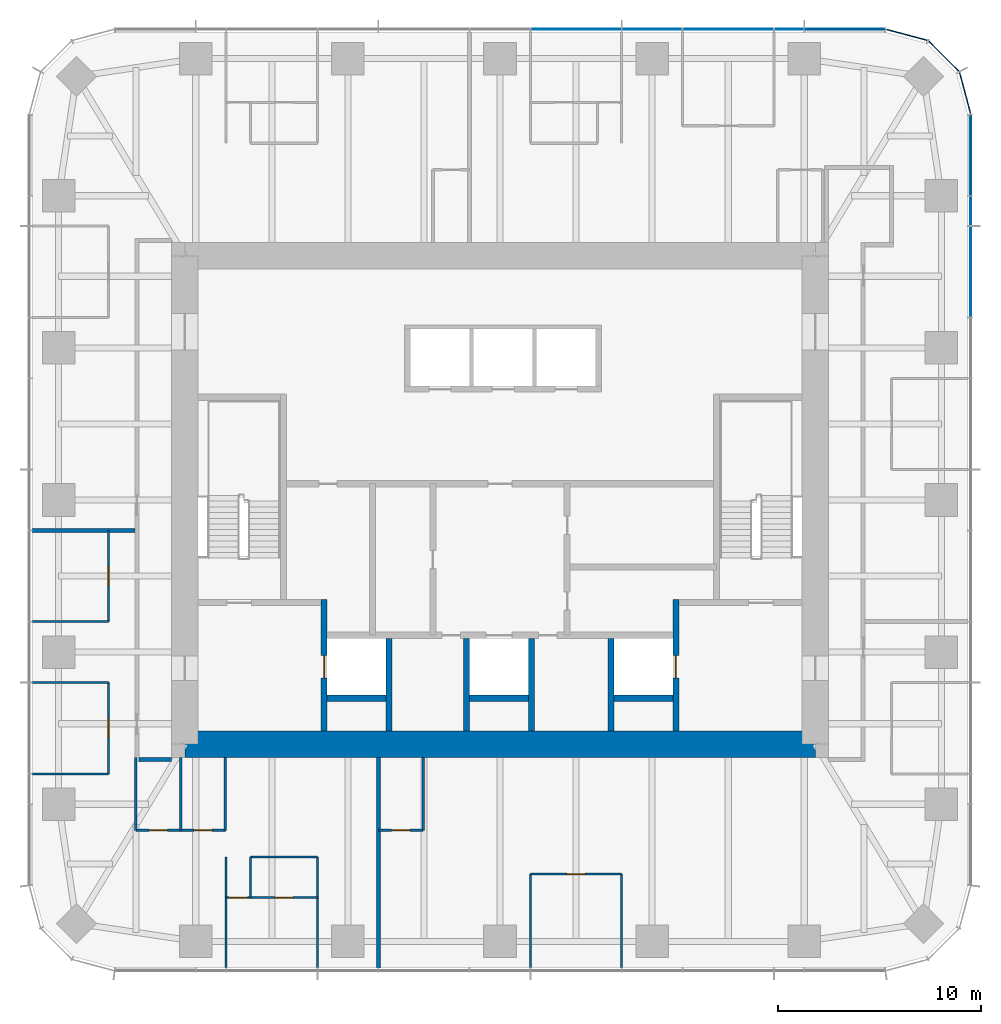
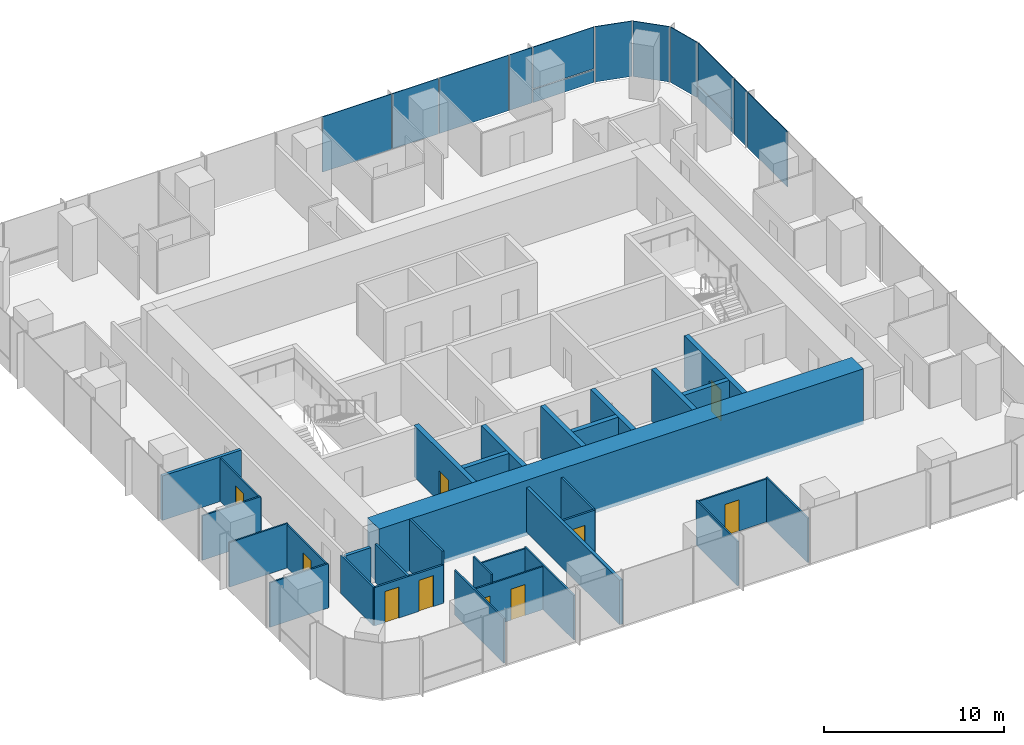
# One storey, part 8 of 12: 32 walls, 13 plates, 10 doors, 10 openings, 3 elements without a shape of their own.
"""IFC4 building model written with IfcOpenShell, lengths in metres."""

from ifc_helpers import new_model, si_unit, direction, frame, frame_2d, origin, origin_2d, place, context, subcontext, project, spatial, rectangle, extrude, material, layer, layer_set, type_object, element, fill, aggregate, save


model = new_model("IFC4")

# Units and contexts
model_context = context("Model", 3, precision=1e-05, world=origin(), true_north=direction((0.0, 1.0)))
body_context = subcontext(model_context, "Body", "Model", "MODEL_VIEW")
ifc_project = project(units=[si_unit("LENGTHUNIT", "METRE"), si_unit("AREAUNIT", "SQUARE_METRE"), si_unit("VOLUMEUNIT", "CUBIC_METRE"), si_unit("PLANEANGLEUNIT", "RADIAN"), si_unit("MASSUNIT", "GRAM", prefix="KILO")], contexts=[model_context])

# Site, building, storey
site_placement = place(None, origin())
site = spatial("IfcSite", under=ifc_project, at=site_placement, CompositionType="ELEMENT")
building_placement = place(site_placement, origin())
building = spatial("IfcBuilding", under=site, at=building_placement, Name="Khuree Lantern Residences", CompositionType="ELEMENT")
storey_placement = place(building_placement, frame((0.0, 0.0, 334.5)))
storey = spatial("IfcBuildingStorey", under=building, at=storey_placement, Name="L84", CompositionType="ELEMENT", Elevation=334.5)

# Curtain wall, plates
ifc_material_1 = material(Name="Bronze anodised aluminium", Category="aluminium")
curtain_wall_type_1 = type_object("IfcCurtainWallType", Name="CW-T2 TOWER CORNER CURTAIN WALL", PredefinedType="USERDEFINED", material=ifc_material_1)
curtain_wall_1_placement = place(storey_placement, origin())
curtain_wall_1 = element("IfcCurtainWall", 1, at=curtain_wall_1_placement, inside=storey, type_object=curtain_wall_type_1, Name="L84 NORTH-EAST CORNER CURTAIN WALL", ObjectType="Faceted corner curtain wall", PredefinedType="USERDEFINED")
ifc_material_2 = material(Name="Bronze tinted triple glazing", Category="glass")
ifc_layer_1 = layer(ifc_material_2, 0.048095703125)
ifc_layer_set_1 = layer_set([ifc_layer_1], Name="FACET PANEL P4")
plate_type_1 = type_object("IfcPlateType", Name="FACET PANEL P4", PredefinedType="CURTAIN_PANEL", material=ifc_layer_set_1)
plate_1_placement = place(storey_placement, frame((22.869140625, 19.998046875, 0.0), z_axis=(0.0, 0.0, 1.0), x_axis=(-0.2588189146, 0.965925861257, 0.0)))
plate_1 = element("IfcPlate", 2, at=plate_1_placement, type_object=plate_type_1, Name="L84 NORTH-EAST CORNER PANEL 15.1", PredefinedType="CURTAIN_PANEL", context=body_context, shape_type="SweptSolid", body=[
    extrude(rectangle(XDim=2.09814453125, YDim=0.048095703125, at=origin_2d()), origin(), (0.0, 0.0, 1.0), 3.75),
])
plate_2_placement = place(storey_placement, frame((21.818603515625, 21.818603515625, 0.0), z_axis=(0.0, 0.0, 1.0), x_axis=(-0.707106781187, 0.707106781187, 0.0)))
plate_2 = element("IfcPlate", 3, at=plate_2_placement, type_object=plate_type_1, Name="L84 NORTH-EAST CORNER PANEL 16.1", PredefinedType="CURTAIN_PANEL", context=body_context, shape_type="SweptSolid", body=[
    extrude(rectangle(XDim=2.093994140625, YDim=0.048095703125, at=origin_2d()), origin(), (0.0, 0.0, 1.0), 3.75),
])
plate_3_placement = place(storey_placement, frame((19.998046875, 22.869140625, 0.0), z_axis=(0.0, 0.0, 1.0), x_axis=(-0.965925861257, 0.2588189146, 0.0)))
plate_3 = element("IfcPlate", 4, at=plate_3_placement, type_object=plate_type_1, Name="L84 NORTH-EAST CORNER PANEL 17.1", PredefinedType="CURTAIN_PANEL", context=body_context, shape_type="SweptSolid", body=[
    extrude(rectangle(XDim=2.09814453125, YDim=0.048095703125, at=origin_2d()), origin(), (0.0, 0.0, 1.0), 3.75),
])
aggregate(curtain_wall_1, [plate_1, plate_2, plate_3])

# Curtain wall, plate
curtain_wall_type_2 = type_object("IfcCurtainWallType", Name="CW-T1 TOWER FACE CURTAIN WALL", PredefinedType="USERDEFINED", material=ifc_material_1)
curtain_wall_2_placement = place(storey_placement, origin())
curtain_wall_2 = element("IfcCurtainWall", 5, at=curtain_wall_2_placement, inside=storey, type_object=curtain_wall_type_2, Name="L84 EAST FACE CURTAIN WALL", ObjectType="Stick-built curtain wall", PredefinedType="USERDEFINED")
ifc_material_3 = material(Name="Bronze tinted triple glazing with a ceramic-fritted spandrel band", Category="glass")
ifc_layer_2 = layer(ifc_material_3, 0.048095703125)
ifc_layer_set_2 = layer_set([ifc_layer_2], Name="FIXED LIGHT PANEL P11")
plate_type_2 = type_object("IfcPlateType", Name="FIXED LIGHT PANEL P11", PredefinedType="CURTAIN_PANEL", material=ifc_layer_set_2)
plate_4_placement = place(storey_placement, frame((23.14990234375, 11.219970703125, 0.0), z_axis=(0.0, 0.0, 1.0), x_axis=(0.0, 1.0, 0.0)))
plate_4 = element("IfcPlate", 6, at=plate_4_placement, type_object=plate_type_2, Name="L84 EAST FACE PANEL 12.1", PredefinedType="CURTAIN_PANEL", context=body_context, shape_type="SweptSolid", body=[
    extrude(rectangle(XDim=4.423095703125, YDim=0.048095703125, at=origin_2d()), origin(), (0.0, 0.0, 1.0), 3.75),
])

# Curtain wall, plates
curtain_wall_3_placement = place(storey_placement, origin())
curtain_wall_3 = element("IfcCurtainWall", 7, at=curtain_wall_3_placement, inside=storey, type_object=curtain_wall_type_2, Name="L84 NORTH FACE CURTAIN WALL", ObjectType="Stick-built curtain wall", PredefinedType="USERDEFINED")
plate_5_placement = place(storey_placement, frame((11.219970703125, 23.14990234375, 0.0), z_axis=(0.0, 0.0, 1.0), x_axis=(-1.0, 0.0, 0.0)))
plate_5 = element("IfcPlate", 8, at=plate_5_placement, type_object=plate_type_2, Name="L84 NORTH FACE PANEL 20.1", PredefinedType="CURTAIN_PANEL", context=body_context, shape_type="SweptSolid", body=[
    extrude(rectangle(XDim=4.423095703125, YDim=0.048095703125, at=origin_2d()), origin(), (0.0, 0.0, 1.0), 3.75),
])
plate_6_placement = place(storey_placement, frame((3.739990234375, 23.14990234375, 0.0), z_axis=(0.0, 0.0, 1.0), x_axis=(-1.0, 0.0, 0.0)))
plate_6 = element("IfcPlate", 9, at=plate_6_placement, type_object=plate_type_2, Name="L84 NORTH FACE PANEL 22.1", PredefinedType="CURTAIN_PANEL", context=body_context, shape_type="SweptSolid", body=[
    extrude(rectangle(XDim=4.423095703125, YDim=0.048095703125, at=origin_2d()), origin(), (0.0, 0.0, 1.0), 3.75),
])
ifc_material_4 = material(Name="Bronze tinted triple glazing, two aluminium-framed sashes in one frame", Category="aluminium")
ifc_layer_3 = layer(ifc_material_4, 0.048095703125)
ifc_layer_set_3 = layer_set([ifc_layer_3], Name="SASH PAIR PANEL P12")
plate_type_3 = type_object("IfcPlateType", Name="SASH PAIR PANEL P12", PredefinedType="CURTAIN_PANEL", material=ifc_layer_set_3)
plate_7_placement = place(storey_placement, frame((7.47998046875, 23.14990234375, 0.0), z_axis=(0.0, 0.0, 1.0), x_axis=(-1.0, 0.0, 0.0)))
plate_7 = element("IfcPlate", 10, at=plate_7_placement, type_object=plate_type_3, Name="L84 NORTH FACE PANEL 21.1", PredefinedType="CURTAIN_PANEL", context=body_context, shape_type="SweptSolid", body=[
    extrude(rectangle(XDim=2.927001953125, YDim=0.048095703125, at=origin_2d()), origin(), (0.0, 0.0, 1.0), 3.75),
])

# Plate
ifc_material_5 = material(Name="Bronze tinted triple glazing, aluminium-framed sash", Category="aluminium")
ifc_layer_4 = layer(ifc_material_5, 0.048095703125)
ifc_layer_set_4 = layer_set([ifc_layer_4], Name="SASH PANEL P3")
plate_type_4 = type_object("IfcPlateType", Name="SASH PANEL P3", PredefinedType="CURTAIN_PANEL", material=ifc_layer_set_4)
plate_8_placement = place(storey_placement, frame((23.14990234375, 14.2119140625, 0.0), z_axis=(0.0, 0.0, 1.0), x_axis=(0.0, 1.0, 0.0)))
plate_8 = element("IfcPlate", 11, at=plate_8_placement, type_object=plate_type_4, Name="L84 EAST FACE PANEL 13.1", PredefinedType="CURTAIN_PANEL", context=body_context, shape_type="SweptSolid", body=[
    extrude(rectangle(XDim=1.430908203125, YDim=0.048095703125, at=origin_2d()), origin(), (0.0, 0.0, 1.0), 3.75),
])

plate_9_placement = place(storey_placement, frame((14.2119140625, 23.14990234375, 0.0), z_axis=(0.0, 0.0, 1.0), x_axis=(-1.0, 0.0, 0.0)))
plate_9 = element("IfcPlate", 12, at=plate_9_placement, type_object=plate_type_4, Name="L84 NORTH FACE PANEL 19.1", PredefinedType="CURTAIN_PANEL", context=body_context, shape_type="SweptSolid", body=[
    extrude(rectangle(XDim=1.430908203125, YDim=0.048095703125, at=origin_2d()), origin(), (0.0, 0.0, 1.0), 3.75),
])

ifc_material_6 = material(Name="Bronze anodised aluminium insulated spandrel", Category="aluminium")
ifc_layer_5 = layer(ifc_material_6, 0.06005859375)
ifc_layer_set_5 = layer_set([ifc_layer_5], Name="SPANDREL PANEL P2")
plate_type_5 = type_object("IfcPlateType", Name="SPANDREL PANEL P2", PredefinedType="CURTAIN_PANEL", material=ifc_layer_set_5)
plate_10_placement = place(storey_placement, frame((23.14990234375, 16.952880859375, 0.0), z_axis=(0.0, 0.0, 1.0), x_axis=(0.0, 1.0, 0.0)))
plate_10 = element("IfcPlate", 13, at=plate_10_placement, type_object=plate_type_5, Name="L84 EAST FACE PANEL 14.1", PredefinedType="CURTAIN_PANEL", context=body_context, shape_type="SweptSolid", body=[
    extrude(rectangle(XDim=3.920654296875, YDim=0.06005859375, at=origin_2d()), origin(), (0.0, 0.0, 1.0), 0.867431640625),
])

plate_11_placement = place(storey_placement, frame((16.952880859375, 23.14990234375, 0.0), z_axis=(0.0, 0.0, 1.0), x_axis=(-1.0, 0.0, 0.0)))
plate_11 = element("IfcPlate", 14, at=plate_11_placement, type_object=plate_type_5, Name="L84 NORTH FACE PANEL 18.1", PredefinedType="CURTAIN_PANEL", context=body_context, shape_type="SweptSolid", body=[
    extrude(rectangle(XDim=3.920654296875, YDim=0.06005859375, at=origin_2d()), origin(), (0.0, 0.0, 1.0), 0.867431640625),
])

ifc_layer_6 = layer(ifc_material_2, 0.048095703125)
ifc_layer_set_6 = layer_set([ifc_layer_6], Name="VISION PANEL P1")
plate_type_6 = type_object("IfcPlateType", Name="VISION PANEL P1", PredefinedType="CURTAIN_PANEL", material=ifc_layer_set_6)
plate_12_placement = place(storey_placement, frame((23.14990234375, 16.953369140625, 0.9326171875), z_axis=(0.0, 0.0, 1.0), x_axis=(0.0, 1.0, 0.0)))
plate_12 = element("IfcPlate", 15, at=plate_12_placement, type_object=plate_type_6, Name="L84 EAST FACE PANEL 14.2", PredefinedType="CURTAIN_PANEL", context=body_context, shape_type="SweptSolid", body=[
    extrude(rectangle(XDim=3.921630859375, YDim=0.048095703125, at=origin_2d()), origin(), (0.0, 0.0, 1.0), 2.8173828125),
])

aggregate(curtain_wall_2, [plate_4, plate_8, plate_10, plate_12])

plate_13_placement = place(storey_placement, frame((16.953369140625, 23.14990234375, 0.9326171875), z_axis=(0.0, 0.0, 1.0), x_axis=(-1.0, 0.0, 0.0)))
plate_13 = element("IfcPlate", 16, at=plate_13_placement, type_object=plate_type_6, Name="L84 NORTH FACE PANEL 18.2", PredefinedType="CURTAIN_PANEL", context=body_context, shape_type="SweptSolid", body=[
    extrude(rectangle(XDim=3.921630859375, YDim=0.048095703125, at=origin_2d()), origin(), (0.0, 0.0, 1.0), 2.8173828125),
])

aggregate(curtain_wall_3, [plate_11, plate_13, plate_9, plate_5, plate_7, plate_6])

# Wall, openings, doors
ifc_material_7 = material(Name="Moisture-resistant gypsum board on steel studs", Category="steel")
ifc_layer_7 = layer(ifc_material_7, 0.125)
ifc_layer_set_7 = layer_set([ifc_layer_7], Name="BATHROOM WALL BTW125")
wall_type_1 = type_object("IfcWallType", Name="BATHROOM WALL BTW125", PredefinedType="PARTITIONING", material=ifc_layer_set_7)
wall_1_placement = place(storey_placement, frame((-17.89990234375, -16.246337890625, 0.0), z_axis=(0.0, 0.0, 1.0), x_axis=(1.0, 0.0, 0.0)))
wall_1 = element("IfcWall", 17, at=wall_1_placement, inside=storey, type_object=wall_type_1, Name="L84 BATHROOM WALL 03", PredefinedType="PARTITIONING", context=body_context, shape_type="SweptSolid", body=[
    extrude(rectangle(XDim=4.39990234375, YDim=0.125, at=frame_2d((2.199951171875, 0.0))), origin(), (0.0, 0.0, 1.0), 2.60009765625),
])
opening_1_placement = place(wall_1_placement, frame((0.64990234375, 0.0, 0.0)))
opening_1 = element("IfcOpeningElement", 18, at=opening_1_placement, cuts=wall_1, Name="Opening 84-035", PredefinedType="OPENING", context=body_context, shape_type="SweptSolid", body=[
    extrude(rectangle(XDim=0.89990234375, YDim=2.10009765625, at=frame_2d((0.449951171875, 1.050048828125))), frame((0.0, 0.072509765625, 0.0), z_axis=(0.0, -1.0, 0.0), x_axis=(1.0, 0.0, 0.0)), (0.0, 0.0, 1.0), 0.14501953125),
])
opening_2_placement = place(wall_1_placement, frame((2.85009765625, 0.0, 0.0)))
opening_2 = element("IfcOpeningElement", 19, at=opening_2_placement, cuts=wall_1, Name="Opening 84-036", PredefinedType="OPENING", context=body_context, shape_type="SweptSolid", body=[
    extrude(rectangle(XDim=0.89990234375, YDim=2.10009765625, at=frame_2d((0.449951171875, 1.050048828125))), frame((0.0, 0.072509765625, 0.0), z_axis=(0.0, -1.0, 0.0), x_axis=(1.0, 0.0, 0.0)), (0.0, 0.0, 1.0), 0.14501953125),
])
ifc_material_8 = material(Name="Timber door leaf in hardwood frame", Category="wood")
door_type_1 = type_object("IfcDoorType", Name="BATHROOM DOOR 900X2100", OperationType="SINGLE_SWING_LEFT", PredefinedType="DOOR", material=ifc_material_8)
door_1_placement = place(opening_1_placement, origin())
door_1 = element("IfcDoor", 20, at=door_1_placement, inside=storey, type_object=door_type_1, Name="Bathroom door 84-035", OperationType="SINGLE_SWING_LEFT", OverallHeight=2.10009765625, OverallWidth=0.89990234375, PredefinedType="DOOR", context=body_context, shape_type="SweptSolid", body=[
    extrude(rectangle(XDim=0.89990234375, YDim=2.10009765625, at=frame_2d((0.449951171875, 1.050048828125))), frame((0.0, 0.02490234375, 0.0), z_axis=(0.0, -1.0, 0.0), x_axis=(1.0, 0.0, 0.0)), (0.0, 0.0, 1.0), 0.050048828125),
])
fill(opening_1, door_1)
door_2_placement = place(opening_2_placement, origin())
door_2 = element("IfcDoor", 21, at=door_2_placement, inside=storey, type_object=door_type_1, Name="Bathroom door 84-036", OperationType="SINGLE_SWING_LEFT", OverallHeight=2.10009765625, OverallWidth=0.89990234375, PredefinedType="DOOR", context=body_context, shape_type="SweptSolid", body=[
    extrude(rectangle(XDim=0.89990234375, YDim=2.10009765625, at=frame_2d((0.449951171875, 1.050048828125))), frame((0.0, 0.02490234375, 0.0), z_axis=(0.0, -1.0, 0.0), x_axis=(1.0, 0.0, 0.0)), (0.0, 0.0, 1.0), 0.050048828125),
])
fill(opening_2, door_2)

# Walls
for number, where, z_axis, x_axis, name in (
    (22, (-17.89990234375, -12.64990234375, 0.0), (0.0, 0.0, 1.0), (0.0, -1.0, 0.0), "L84 BATHROOM WALL 03"),
    (23, (-15.699951171875, -12.64990234375, 0.0), (0.0, 0.0, 1.0), (0.0, -1.0, 0.0), "L84 BATHROOM WALL 03"),
):
    element("IfcWall", number, at=place(storey_placement, frame(where, z_axis=z_axis, x_axis=x_axis)), inside=storey, type_object=wall_type_1, Name=name, PredefinedType="PARTITIONING", context=body_context, shape_type="SweptSolid", body=[
        extrude(rectangle(XDim=3.596435546875, YDim=0.125, at=frame_2d((1.79833984375, 0.0))), origin(), (0.0, 0.0, 1.0), 2.60009765625),
    ])
wall_2_placement = place(storey_placement, frame((-13.5, -12.64990234375, 0.0), z_axis=(0.0, 0.0, 1.0), x_axis=(0.0, -1.0, 0.0)))
element("IfcWall", 24, at=wall_2_placement, inside=storey, type_object=wall_type_1, Name="L84 BATHROOM WALL 03", PredefinedType="PARTITIONING", context=body_context, shape_type="SweptSolid", body=[
    extrude(rectangle(XDim=3.596435546875, YDim=0.125, at=frame_2d((1.79833984375, 0.0))), origin(), (0.0, 0.0, 1.0), 3.5),
])

# Wall, opening, door
wall_3_placement = place(storey_placement, frame((-5.98388671875, -16.246337890625, 0.0), z_axis=(0.0, 0.0, 1.0), x_axis=(1.0, 0.0, 0.0)))
wall_3 = element("IfcWall", 25, at=wall_3_placement, inside=storey, type_object=wall_type_1, Name="L84 BATHROOM WALL 04", PredefinedType="PARTITIONING", context=body_context, shape_type="SweptSolid", body=[
    extrude(rectangle(XDim=2.199951171875, YDim=0.125, at=frame_2d((1.10009765625, 0.0))), origin(), (0.0, 0.0, 1.0), 2.909912109375),
])
opening_3_placement = place(wall_3_placement, frame((0.64990234375, 0.0, 0.0)))
opening_3 = element("IfcOpeningElement", 26, at=opening_3_placement, cuts=wall_3, Name="Opening 84-040", PredefinedType="OPENING", context=body_context, shape_type="SweptSolid", body=[
    extrude(rectangle(XDim=0.89990234375, YDim=2.10009765625, at=frame_2d((0.449951171875, 1.050048828125))), frame((0.0, 0.072509765625, 0.0), z_axis=(0.0, -1.0, 0.0), x_axis=(1.0, 0.0, 0.0)), (0.0, 0.0, 1.0), 0.14501953125),
])
door_3_placement = place(opening_3_placement, origin())
door_3 = element("IfcDoor", 27, at=door_3_placement, inside=storey, type_object=door_type_1, Name="Bathroom door 84-040", OperationType="SINGLE_SWING_LEFT", OverallHeight=2.10009765625, OverallWidth=0.89990234375, PredefinedType="DOOR", context=body_context, shape_type="SweptSolid", body=[
    extrude(rectangle(XDim=0.89990234375, YDim=2.10009765625, at=frame_2d((0.449951171875, 1.050048828125))), frame((0.0, 0.02490234375, 0.0), z_axis=(0.0, -1.0, 0.0), x_axis=(1.0, 0.0, 0.0)), (0.0, 0.0, 1.0), 0.050048828125),
])
fill(opening_3, door_3)

# Wall
wall_4_placement = place(storey_placement, frame((-3.783935546875, -12.64990234375, 0.0), z_axis=(0.0, 0.0, 1.0), x_axis=(0.0, -1.0, 0.0)))
element("IfcWall", 28, at=wall_4_placement, inside=storey, type_object=wall_type_1, Name="L84 BATHROOM WALL 04", PredefinedType="PARTITIONING", context=body_context, shape_type="SweptSolid", body=[
    extrude(rectangle(XDim=3.596435546875, YDim=0.125, at=frame_2d((1.79833984375, 0.0))), origin(), (0.0, 0.0, 1.0), 2.909912109375),
])

# Wall, opening, door
ifc_material_9 = material(Name="Dense concrete blockwork", Category="masonry")
ifc_layer_8 = layer(ifc_material_9, 0.300048828125)
ifc_layer_set_8 = layer_set([ifc_layer_8], Name="CORE PARTITION WALL CPW300 EI 120")
wall_type_2 = type_object("IfcWallType", Name="CORE PARTITION WALL CPW300 EI 120", PredefinedType="PARTITIONING", material=ifc_layer_set_8)
wall_5_placement = place(storey_placement, frame((-8.64990234375, -11.35009765625, 0.0), z_axis=(0.0, 0.0, 1.0), x_axis=(0.0, 1.0, 0.0)))
wall_5 = element("IfcWall", 29, at=wall_5_placement, inside=storey, type_object=wall_type_2, Name="L84 CORE WALL FL1W", PredefinedType="PARTITIONING", context=body_context, shape_type="SweptSolid", body=[
    extrude(rectangle(XDim=6.4501953125, YDim=0.300048828125, at=frame_2d((3.22509765625, 0.0))), origin(), (0.0, 0.0, 1.0), 3.5),
])
opening_4_placement = place(wall_5_placement, frame((2.60009765625, 0.0, 0.0)))
opening_4 = element("IfcOpeningElement", 30, at=opening_4_placement, cuts=wall_5, Name="Opening 84-007", PredefinedType="OPENING", context=body_context, shape_type="SweptSolid", body=[
    extrude(rectangle(XDim=1.10009765625, YDim=2.10009765625, at=frame_2d((0.550048828125, 1.050048828125))), frame((0.0, 0.16015625, 0.0), z_axis=(0.0, -1.0, 0.0), x_axis=(1.0, 0.0, 0.0)), (0.0, 0.0, 1.0), 0.320068359375),
])
ifc_material_10 = material(Name="Stainless steel lift landing door", Category="steel")
door_type_2 = type_object("IfcDoorType", Name="LIFT LANDING DOOR 1100X2100 E 120", OperationType="DOUBLE_DOOR_SLIDING", PredefinedType="DOOR", material=ifc_material_10)
door_4_placement = place(opening_4_placement, origin())
door_4 = element("IfcDoor", 31, at=door_4_placement, inside=storey, type_object=door_type_2, Name="Landing door FL1 84-007", OperationType="DOUBLE_DOOR_SLIDING", OverallHeight=2.10009765625, OverallWidth=1.10009765625, PredefinedType="DOOR", context=body_context, shape_type="SweptSolid", body=[
    extrude(rectangle(XDim=1.10009765625, YDim=2.10009765625, at=frame_2d((0.550048828125, 1.050048828125))), frame((0.0, 0.02490234375, 0.0), z_axis=(0.0, -1.0, 0.0), x_axis=(1.0, 0.0, 0.0)), (0.0, 0.0, 1.0), 0.050048828125),
])
fill(opening_4, door_4)

wall_6_placement = place(storey_placement, frame((8.64990234375, -11.35009765625, 0.0), z_axis=(0.0, 0.0, 1.0), x_axis=(0.0, 1.0, 0.0)))
wall_6 = element("IfcWall", 32, at=wall_6_placement, inside=storey, type_object=wall_type_2, Name="L84 CORE WALL FL2E", PredefinedType="PARTITIONING", context=body_context, shape_type="SweptSolid", body=[
    extrude(rectangle(XDim=6.4501953125, YDim=0.300048828125, at=frame_2d((3.22509765625, 0.0))), origin(), (0.0, 0.0, 1.0), 3.5),
])
opening_5_placement = place(wall_6_placement, frame((2.60009765625, 0.0, 0.0)))
opening_5 = element("IfcOpeningElement", 33, at=opening_5_placement, cuts=wall_6, Name="Opening 84-008", PredefinedType="OPENING", context=body_context, shape_type="SweptSolid", body=[
    extrude(rectangle(XDim=1.10009765625, YDim=2.10009765625, at=frame_2d((0.550048828125, 1.050048828125))), frame((0.0, 0.16015625, 0.0), z_axis=(0.0, -1.0, 0.0), x_axis=(1.0, 0.0, 0.0)), (0.0, 0.0, 1.0), 0.320068359375),
])
door_5_placement = place(opening_5_placement, origin())
door_5 = element("IfcDoor", 34, at=door_5_placement, inside=storey, type_object=door_type_2, Name="Landing door FL2 84-008", OperationType="DOUBLE_DOOR_SLIDING", OverallHeight=2.10009765625, OverallWidth=1.10009765625, PredefinedType="DOOR", context=body_context, shape_type="SweptSolid", body=[
    extrude(rectangle(XDim=1.10009765625, YDim=2.10009765625, at=frame_2d((0.550048828125, 1.050048828125))), frame((0.0, 0.02490234375, 0.0), z_axis=(0.0, -1.0, 0.0), x_axis=(1.0, 0.0, 0.0)), (0.0, 0.0, 1.0), 0.050048828125),
])
fill(opening_5, door_5)

# Walls
for number, where, z_axis, x_axis, name in (
    (35, (-5.449951171875, -11.35009765625, 0.0), (0.0, 0.0, 1.0), (0.0, 1.0, 0.0), "L84 CORE WALL FL1E"),
    (36, (-1.64990234375, -11.35009765625, 0.0), (0.0, 0.0, 1.0), (0.0, 1.0, 0.0), "L84 CORE WALL SL1W"),
    (37, (1.550048828125, -11.35009765625, 0.0), (0.0, 0.0, 1.0), (0.0, 1.0, 0.0), "L84 CORE WALL SL1E"),
    (38, (5.449951171875, -11.35009765625, 0.0), (0.0, 0.0, 1.0), (0.0, 1.0, 0.0), "L84 CORE WALL FL2W"),
):
    element("IfcWall", number, at=place(storey_placement, frame(where, z_axis=z_axis, x_axis=x_axis)), inside=storey, type_object=wall_type_2, Name=name, PredefinedType="PARTITIONING", context=body_context, shape_type="SweptSolid", body=[
        extrude(rectangle(XDim=4.550048828125, YDim=0.300048828125, at=frame_2d((2.27490234375, 0.0))), origin(), (0.0, 0.0, 1.0), 3.5),
    ])
for number, where, z_axis, x_axis, name in (
    (39, (-8.5, -9.75, 0.0), (0.0, 0.0, 1.0), (1.0, 0.0, 0.0), "L84 CORE WALL FL1S"),
    (40, (-1.5, -9.75, 0.0), (0.0, 0.0, 1.0), (1.0, 0.0, 0.0), "L84 CORE WALL SL1S"),
    (41, (5.60009765625, -9.75, 0.0), (0.0, 0.0, 1.0), (1.0, 0.0, 0.0), "L84 CORE WALL FL2S"),
):
    element("IfcWall", number, at=place(storey_placement, frame(where, z_axis=z_axis, x_axis=x_axis)), inside=storey, type_object=wall_type_2, Name=name, PredefinedType="PARTITIONING", context=body_context, shape_type="SweptSolid", body=[
        extrude(rectangle(XDim=2.89990234375, YDim=0.300048828125, at=frame_2d((1.449951171875, 0.0))), origin(), (0.0, 0.0, 1.0), 3.5),
    ])
ifc_material_11 = material(Name="Gypsum board on steel studs", Category="steel")
ifc_layer_9 = layer(ifc_material_11, 0.199951171875)
ifc_layer_set_9 = layer_set([ifc_layer_9], Name="CORRIDOR WALL CRW200 EI 60")
wall_type_3 = type_object("IfcWallType", Name="CORRIDOR WALL CRW200 EI 60", PredefinedType="PARTITIONING", material=ifc_layer_set_9)
wall_7_placement = place(storey_placement, frame((-16.14990234375, -12.75, 0.0), z_axis=(0.0, 0.0, 1.0), x_axis=(-1.0, 0.0, 0.0)))
element("IfcWall", 42, at=wall_7_placement, inside=storey, type_object=wall_type_3, Name="L84 WEST CORRIDOR SOUTH END WALL", PredefinedType="PARTITIONING", context=body_context, shape_type="SweptSolid", body=[
    extrude(rectangle(XDim=1.60009765625, YDim=0.199951171875, at=frame_2d((0.800048828125, 0.0))), origin(), (0.0, 0.0, 1.0), 2.60009765625),
])
ifc_material_12 = material(Name="Concrete C50/60", Category="concrete")
ifc_layer_10 = layer(ifc_material_12, 1.300048828125)
ifc_layer_set_10 = layer_set([ifc_layer_10], Name="CW1300-C50 CORE WALL C50 1300")
wall_type_4 = type_object("IfcWallType", Name="CW1300-C50 CORE WALL C50 1300", PredefinedType="SHEAR", material=ifc_layer_set_10)
wall_8_placement = place(storey_placement, frame((-15.5, -12.0, -0.25), z_axis=(0.0, 0.0, 1.0), x_axis=(1.0, 0.0, 0.0)))
element("IfcWall", 43, at=wall_8_placement, inside=storey, type_object=wall_type_4, Name="Core wall S", PredefinedType="SHEAR", context=body_context, shape_type="SweptSolid", body=[
    extrude(rectangle(XDim=31.0, YDim=1.300048828125, at=frame_2d((15.5, 0.0))), origin(), (0.0, 0.0, 1.0), 3.75),
])
ifc_layer_11 = layer(ifc_material_11, 0.199951171875)
ifc_layer_set_11 = layer_set([ifc_layer_11], Name="DEMISING WALL DMW200 EI 90")
wall_type_5 = type_object("IfcWallType", Name="DEMISING WALL DMW200 EI 90", PredefinedType="PARTITIONING", material=ifc_layer_set_11)
wall_9_placement = place(storey_placement, frame((-17.949951171875, -1.49609375, 0.0), z_axis=(0.0, 0.0, 1.0), x_axis=(-1.0, 0.0, 0.0)))
element("IfcWall", 44, at=wall_9_placement, inside=storey, type_object=wall_type_5, Name="L84 DEMISING WALL 03", PredefinedType="PARTITIONING", context=body_context, shape_type="SweptSolid", body=[
    extrude(rectangle(XDim=5.050048828125, YDim=0.199951171875, at=frame_2d((2.52490234375, 0.0))), origin(), (0.0, 0.0, 1.0), 3.010009765625),
])
wall_10_placement = place(storey_placement, frame((-5.98388671875, -12.64990234375, 0.0), z_axis=(0.0, 0.0, 1.0), x_axis=(0.0, -1.0, 0.0)))
element("IfcWall", 45, at=wall_10_placement, inside=storey, type_object=wall_type_5, Name="L84 DEMISING WALL 04", PredefinedType="PARTITIONING", context=body_context, shape_type="SweptSolid", body=[
    extrude(rectangle(XDim=10.35009765625, YDim=0.199951171875, at=frame_2d((5.175048828125, 0.0))), origin(), (0.0, 0.0, 1.0), 3.010009765625),
])
ifc_layer_12 = layer(ifc_material_11, 0.10009765625)
ifc_layer_set_12 = layer_set([ifc_layer_12], Name="PARTITION PT100")
wall_type_6 = type_object("IfcWallType", Name="PARTITION PT100", PredefinedType="PARTITIONING", material=ifc_layer_set_12)
for number, where, z_axis, x_axis, name in (
    (46, (-19.25, -5.98388671875, 0.0), (0.0, 0.0, 1.0), (-1.0, 0.0, 0.0), "L84 PARTITION 03"),
    (47, (-19.25, -8.97607421875, 0.0), (0.0, 0.0, 1.0), (-1.0, 0.0, 0.0), "L84 PARTITION 03"),
    (48, (-19.25, -13.464111328125, 0.0), (0.0, 0.0, 1.0), (-1.0, 0.0, 0.0), "L84 PARTITION 03"),
):
    element("IfcWall", number, at=place(storey_placement, frame(where, z_axis=z_axis, x_axis=x_axis)), inside=storey, type_object=wall_type_6, Name=name, PredefinedType="PARTITIONING", context=body_context, shape_type="SweptSolid", body=[
        extrude(rectangle(XDim=3.75, YDim=0.10009765625, at=frame_2d((1.875, 0.0))), origin(), (0.0, 0.0, 1.0), 3.010009765625),
    ])
for number, where, z_axis, x_axis, name in (
    (49, (-13.464111328125, -17.54638671875, 0.0), (0.0, 0.0, 1.0), (0.0, -1.0, 0.0), "L84 PARTITION 03"),
    (50, (-8.97607421875, -17.54638671875, 0.0), (0.0, 0.0, 1.0), (0.0, -1.0, 0.0), "L84 PARTITION 03"),
):
    element("IfcWall", number, at=place(storey_placement, frame(where, z_axis=z_axis, x_axis=x_axis)), inside=storey, type_object=wall_type_6, Name=name, PredefinedType="PARTITIONING", context=body_context, shape_type="SweptSolid", body=[
        extrude(rectangle(XDim=5.45361328125, YDim=0.10009765625, at=frame_2d((2.726806640625, 0.0))), origin(), (0.0, 0.0, 1.0), 3.010009765625),
    ])
for number, where, z_axis, x_axis, name in (
    (51, (1.49609375, -18.39990234375, 0.0), (0.0, 0.0, 1.0), (0.0, -1.0, 0.0), "L84 PARTITION 04"),
    (52, (5.98388671875, -18.39990234375, 0.0), (0.0, 0.0, 1.0), (0.0, -1.0, 0.0), "L84 PARTITION 04"),
):
    element("IfcWall", number, at=place(storey_placement, frame(where, z_axis=z_axis, x_axis=x_axis)), inside=storey, type_object=wall_type_6, Name=name, PredefinedType="PARTITIONING", context=body_context, shape_type="SweptSolid", body=[
        extrude(rectangle(XDim=4.60009765625, YDim=0.10009765625, at=frame_2d((2.300048828125, 0.0))), origin(), (0.0, 0.0, 1.0), 3.010009765625),
    ])

# Wall, opening, door
wall_11_placement = place(storey_placement, frame((-19.25, -1.49609375, 0.0), z_axis=(0.0, 0.0, 1.0), x_axis=(0.0, -1.0, 0.0)))
wall_11 = element("IfcWall", 53, at=wall_11_placement, inside=storey, type_object=wall_type_6, Name="L84 PARTITION 03", PredefinedType="PARTITIONING", context=body_context, shape_type="SweptSolid", body=[
    extrude(rectangle(XDim=4.48779296875, YDim=0.10009765625, at=frame_2d((2.243896484375, 0.0))), origin(), (0.0, 0.0, 1.0), 2.909912109375),
])
opening_6_placement = place(wall_11_placement, frame((1.7939453125, 0.0, 0.0)))
opening_6 = element("IfcOpeningElement", 54, at=opening_6_placement, cuts=wall_11, Name="Opening 84-031", PredefinedType="OPENING", context=body_context, shape_type="SweptSolid", body=[
    extrude(rectangle(XDim=0.89990234375, YDim=2.10009765625, at=frame_2d((0.449951171875, 1.050048828125))), frame((0.0, 0.06005859375, 0.0), z_axis=(0.0, -1.0, 0.0), x_axis=(1.0, 0.0, 0.0)), (0.0, 0.0, 1.0), 0.1201171875),
])
door_type_3 = type_object("IfcDoorType", Name="BEDROOM DOOR 900X2100", OperationType="SINGLE_SWING_LEFT", PredefinedType="DOOR", material=ifc_material_8)
door_6_placement = place(opening_6_placement, origin())
door_6 = element("IfcDoor", 55, at=door_6_placement, inside=storey, type_object=door_type_3, Name="Bedroom door 84-031", OperationType="SINGLE_SWING_LEFT", OverallHeight=2.10009765625, OverallWidth=0.89990234375, PredefinedType="DOOR", context=body_context, shape_type="SweptSolid", body=[
    extrude(rectangle(XDim=0.89990234375, YDim=2.10009765625, at=frame_2d((0.449951171875, 1.050048828125))), frame((0.0, 0.02490234375, 0.0), z_axis=(0.0, -1.0, 0.0), x_axis=(1.0, 0.0, 0.0)), (0.0, 0.0, 1.0), 0.050048828125),
])
fill(opening_6, door_6)

wall_12_placement = place(storey_placement, frame((-19.25, -8.97607421875, 0.0), z_axis=(0.0, 0.0, 1.0), x_axis=(0.0, -1.0, 0.0)))
wall_12 = element("IfcWall", 56, at=wall_12_placement, inside=storey, type_object=wall_type_6, Name="L84 PARTITION 03", PredefinedType="PARTITIONING", context=body_context, shape_type="SweptSolid", body=[
    extrude(rectangle(XDim=4.488037109375, YDim=0.10009765625, at=frame_2d((2.244140625, 0.0))), origin(), (0.0, 0.0, 1.0), 2.909912109375),
])
opening_7_placement = place(wall_12_placement, frame((1.7939453125, 0.0, 0.0)))
opening_7 = element("IfcOpeningElement", 57, at=opening_7_placement, cuts=wall_12, Name="Opening 84-032", PredefinedType="OPENING", context=body_context, shape_type="SweptSolid", body=[
    extrude(rectangle(XDim=0.89990234375, YDim=2.10009765625, at=frame_2d((0.449951171875, 1.050048828125))), frame((0.0, 0.06005859375, 0.0), z_axis=(0.0, -1.0, 0.0), x_axis=(1.0, 0.0, 0.0)), (0.0, 0.0, 1.0), 0.1201171875),
])
door_7_placement = place(opening_7_placement, origin())
door_7 = element("IfcDoor", 58, at=door_7_placement, inside=storey, type_object=door_type_3, Name="Bedroom door 84-032", OperationType="SINGLE_SWING_LEFT", OverallHeight=2.10009765625, OverallWidth=0.89990234375, PredefinedType="DOOR", context=body_context, shape_type="SweptSolid", body=[
    extrude(rectangle(XDim=0.89990234375, YDim=2.10009765625, at=frame_2d((0.449951171875, 1.050048828125))), frame((0.0, 0.02490234375, 0.0), z_axis=(0.0, -1.0, 0.0), x_axis=(1.0, 0.0, 0.0)), (0.0, 0.0, 1.0), 0.050048828125),
])
fill(opening_7, door_7)

# Wall, openings, doors
wall_13_placement = place(storey_placement, frame((-13.464111328125, -19.54638671875, 0.0), z_axis=(0.0, 0.0, 1.0), x_axis=(1.0, 0.0, 0.0)))
wall_13 = element("IfcWall", 59, at=wall_13_placement, inside=storey, type_object=wall_type_6, Name="L84 PARTITION 03", PredefinedType="PARTITIONING", context=body_context, shape_type="SweptSolid", body=[
    extrude(rectangle(XDim=4.488037109375, YDim=0.10009765625, at=frame_2d((2.244140625, 0.0))), origin(), (0.0, 0.0, 1.0), 2.909912109375),
])
opening_8_placement = place(wall_13_placement, frame((0.14990234375, 0.0, 0.0)))
opening_8 = element("IfcOpeningElement", 60, at=opening_8_placement, cuts=wall_13, Name="Opening 84-033", PredefinedType="OPENING", context=body_context, shape_type="SweptSolid", body=[
    extrude(rectangle(XDim=0.89990234375, YDim=2.10009765625, at=frame_2d((0.449951171875, 1.050048828125))), frame((0.0, 0.06005859375, 0.0), z_axis=(0.0, -1.0, 0.0), x_axis=(1.0, 0.0, 0.0)), (0.0, 0.0, 1.0), 0.1201171875),
])
opening_9_placement = place(wall_13_placement, frame((2.39404296875, 0.0, 0.0)))
opening_9 = element("IfcOpeningElement", 61, at=opening_9_placement, cuts=wall_13, Name="Opening 84-034", PredefinedType="OPENING", context=body_context, shape_type="SweptSolid", body=[
    extrude(rectangle(XDim=0.89990234375, YDim=2.10009765625, at=frame_2d((0.449951171875, 1.050048828125))), frame((0.0, 0.06005859375, 0.0), z_axis=(0.0, -1.0, 0.0), x_axis=(1.0, 0.0, 0.0)), (0.0, 0.0, 1.0), 0.1201171875),
])
door_8_placement = place(opening_8_placement, origin())
door_8 = element("IfcDoor", 62, at=door_8_placement, inside=storey, type_object=door_type_3, Name="Bedroom door 84-033", OperationType="SINGLE_SWING_LEFT", OverallHeight=2.10009765625, OverallWidth=0.89990234375, PredefinedType="DOOR", context=body_context, shape_type="SweptSolid", body=[
    extrude(rectangle(XDim=0.89990234375, YDim=2.10009765625, at=frame_2d((0.449951171875, 1.050048828125))), frame((0.0, 0.02490234375, 0.0), z_axis=(0.0, -1.0, 0.0), x_axis=(1.0, 0.0, 0.0)), (0.0, 0.0, 1.0), 0.050048828125),
])
fill(opening_8, door_8)
door_type_4 = type_object("IfcDoorType", Name="DOOR 900X2100", OperationType="SINGLE_SWING_LEFT", PredefinedType="DOOR", material=ifc_material_8)
door_9_placement = place(opening_9_placement, origin())
door_9 = element("IfcDoor", 63, at=door_9_placement, inside=storey, type_object=door_type_4, Name="Wardrobe door 84-034", OperationType="SINGLE_SWING_LEFT", OverallHeight=2.10009765625, OverallWidth=0.89990234375, PredefinedType="DOOR", context=body_context, shape_type="SweptSolid", body=[
    extrude(rectangle(XDim=0.89990234375, YDim=2.10009765625, at=frame_2d((0.449951171875, 1.050048828125))), frame((0.0, 0.02490234375, 0.0), z_axis=(0.0, -1.0, 0.0), x_axis=(1.0, 0.0, 0.0)), (0.0, 0.0, 1.0), 0.050048828125),
])
fill(opening_9, door_9)

# Walls
wall_14_placement = place(storey_placement, frame((-12.263916015625, -17.54638671875, 0.0), z_axis=(0.0, 0.0, 1.0), x_axis=(0.0, -1.0, 0.0)))
element("IfcWall", 64, at=wall_14_placement, inside=storey, type_object=wall_type_6, Name="L84 PARTITION 03", PredefinedType="PARTITIONING", context=body_context, shape_type="SweptSolid", body=[
    extrude(rectangle(XDim=2.0, YDim=0.10009765625, at=frame_2d((1.0, 0.0))), origin(), (0.0, 0.0, 1.0), 3.5),
])
wall_15_placement = place(storey_placement, frame((-12.263916015625, -17.54638671875, 0.0), z_axis=(0.0, 0.0, 1.0), x_axis=(1.0, 0.0, 0.0)))
element("IfcWall", 65, at=wall_15_placement, inside=storey, type_object=wall_type_6, Name="L84 PARTITION 03", PredefinedType="PARTITIONING", context=body_context, shape_type="SweptSolid", body=[
    extrude(rectangle(XDim=3.287841796875, YDim=0.10009765625, at=frame_2d((1.64404296875, 0.0))), origin(), (0.0, 0.0, 1.0), 2.909912109375),
])

# Wall, opening, door
wall_16_placement = place(storey_placement, frame((1.49609375, -18.39990234375, 0.0), z_axis=(0.0, 0.0, 1.0), x_axis=(1.0, 0.0, 0.0)))
wall_16 = element("IfcWall", 66, at=wall_16_placement, inside=storey, type_object=wall_type_6, Name="L84 PARTITION 04", PredefinedType="PARTITIONING", context=body_context, shape_type="SweptSolid", body=[
    extrude(rectangle(XDim=4.48779296875, YDim=0.10009765625, at=frame_2d((2.243896484375, 0.0))), origin(), (0.0, 0.0, 1.0), 2.909912109375),
])
opening_10_placement = place(wall_16_placement, frame((1.7939453125, 0.0, 0.0)))
opening_10 = element("IfcOpeningElement", 67, at=opening_10_placement, cuts=wall_16, Name="Opening 84-038", PredefinedType="OPENING", context=body_context, shape_type="SweptSolid", body=[
    extrude(rectangle(XDim=0.89990234375, YDim=2.10009765625, at=frame_2d((0.449951171875, 1.050048828125))), frame((0.0, 0.06005859375, 0.0), z_axis=(0.0, -1.0, 0.0), x_axis=(1.0, 0.0, 0.0)), (0.0, 0.0, 1.0), 0.1201171875),
])
door_10_placement = place(opening_10_placement, origin())
door_10 = element("IfcDoor", 68, at=door_10_placement, inside=storey, type_object=door_type_3, Name="Bedroom door 84-038", OperationType="SINGLE_SWING_LEFT", OverallHeight=2.10009765625, OverallWidth=0.89990234375, PredefinedType="DOOR", context=body_context, shape_type="SweptSolid", body=[
    extrude(rectangle(XDim=0.89990234375, YDim=2.10009765625, at=frame_2d((0.449951171875, 1.050048828125))), frame((0.0, 0.02490234375, 0.0), z_axis=(0.0, -1.0, 0.0), x_axis=(1.0, 0.0, 0.0)), (0.0, 0.0, 1.0), 0.050048828125),
])
fill(opening_10, door_10)

save(model, "model.ifc")
